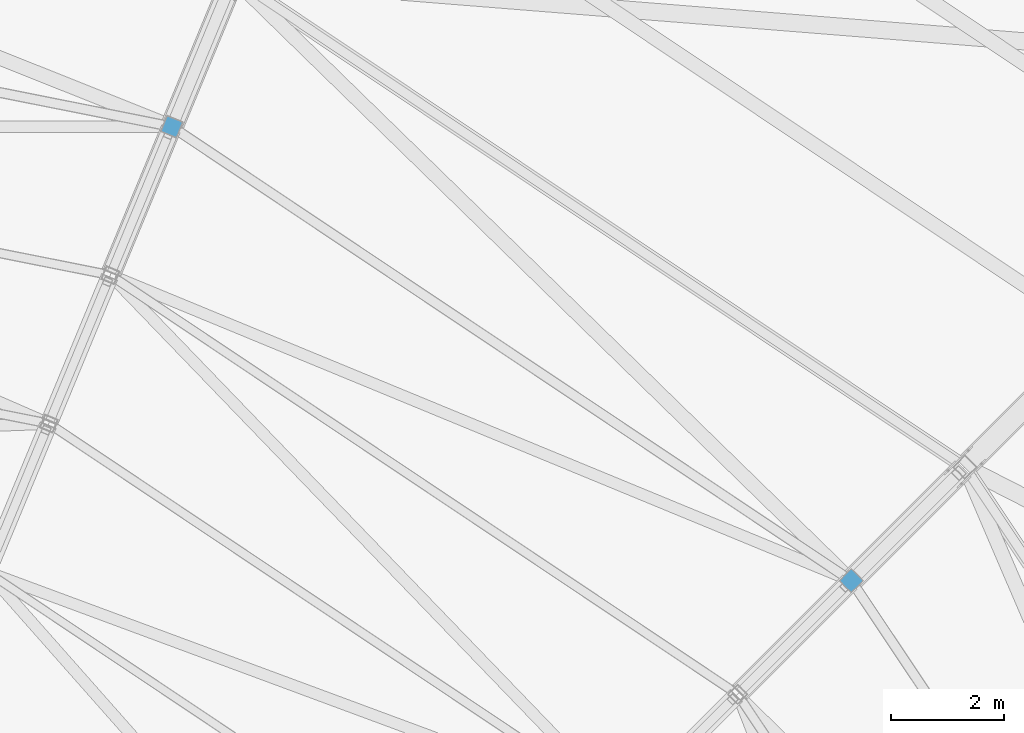
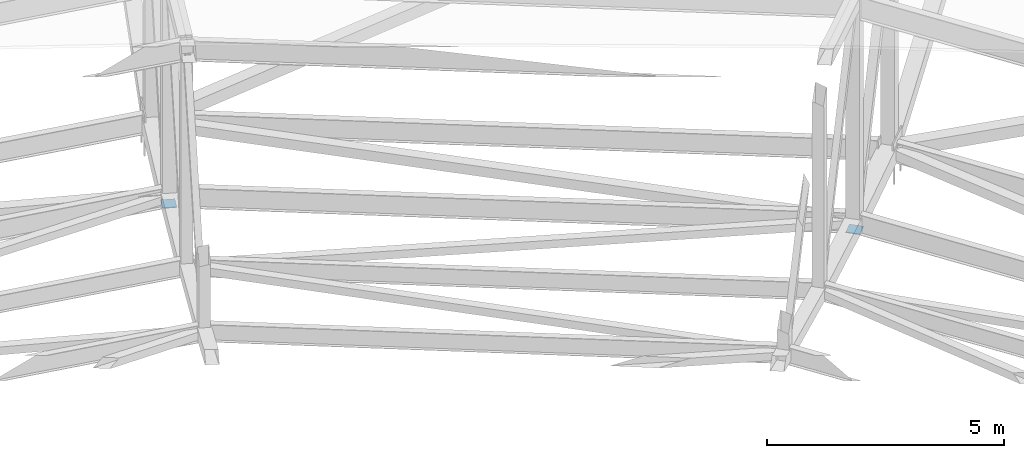
# One storey, part 259 of 278: 2 discrete accessories.
"""IFC4 building model written with IfcOpenShell, lengths in metres."""

from ifc_helpers import new_model, si_unit, direction, frame, origin, origin_2d, place, context, subcontext, project, spatial, rectangle, extrude, material, layer, layer_set, type_object, element, save


model = new_model("IFC4")

# Units and contexts
model_context = context("Model", 3, precision=1e-05, world=origin(), true_north=direction((0.0, 1.0)))
body_context = subcontext(model_context, "Body", "Model", "MODEL_VIEW")
ifc_project = project(units=[si_unit("LENGTHUNIT", "METRE"), si_unit("AREAUNIT", "SQUARE_METRE"), si_unit("VOLUMEUNIT", "CUBIC_METRE"), si_unit("PLANEANGLEUNIT", "RADIAN"), si_unit("MASSUNIT", "GRAM", prefix="KILO")], contexts=[model_context])

# Site, building, storey
site_placement = place(None, origin())
site = spatial("IfcSite", under=ifc_project, at=site_placement, CompositionType="ELEMENT")
building_placement = place(site_placement, origin())
building = spatial("IfcBuilding", under=site, at=building_placement, Name="Ogive Plaza Stadium", CompositionType="ELEMENT")
storey_placement = place(building_placement, frame((0.0, 0.0, 29.0)))
storey = spatial("IfcBuildingStorey", under=building, at=storey_placement, Name="Roof", CompositionType="ELEMENT", Elevation=29.0)

# Discrete accessories
ifc_material = material(Name="Steel ASTM A992 Grade 50", Category="steel")
ifc_layer = layer(ifc_material, 0.02001953125)
ifc_layer_set = layer_set([ifc_layer], Name="Steel ASTM A992 Grade 50")
discrete_accessory_type = type_object("IfcDiscreteAccessoryType", Name="Roof truss post cap plate 20", PredefinedType="ANCHORPLATE", material=ifc_layer_set)
for number, where, z_axis, x_axis, name in (
    (1, (48.216796875, 86.822021484375, 0.04541015625), (0.0, 0.0, 1.0), (0.382683432365, 0.923879532511, 0.0), "ROOF TRUSS POST CAP PLATE 38 10"),
    (2, (60.26904296875, 78.76904296875, 0.04541015625), (0.0, 0.0, 1.0), (0.707106781187, 0.707106781187, 0.0), "ROOF TRUSS POST CAP PLATE 39 10"),
):
    element("IfcDiscreteAccessory", number, at=place(storey_placement, frame(where, z_axis=z_axis, x_axis=x_axis)), inside=storey, type_object=discrete_accessory_type, Name=name, PredefinedType="ANCHORPLATE", context=body_context, shape_type="SweptSolid", body=[
        extrude(rectangle(XDim=0.3046875, YDim=0.3046875, at=origin_2d()), origin(), (0.0, 0.0, 1.0), 0.02001953125),
    ])

save(model, "model.ifc")
